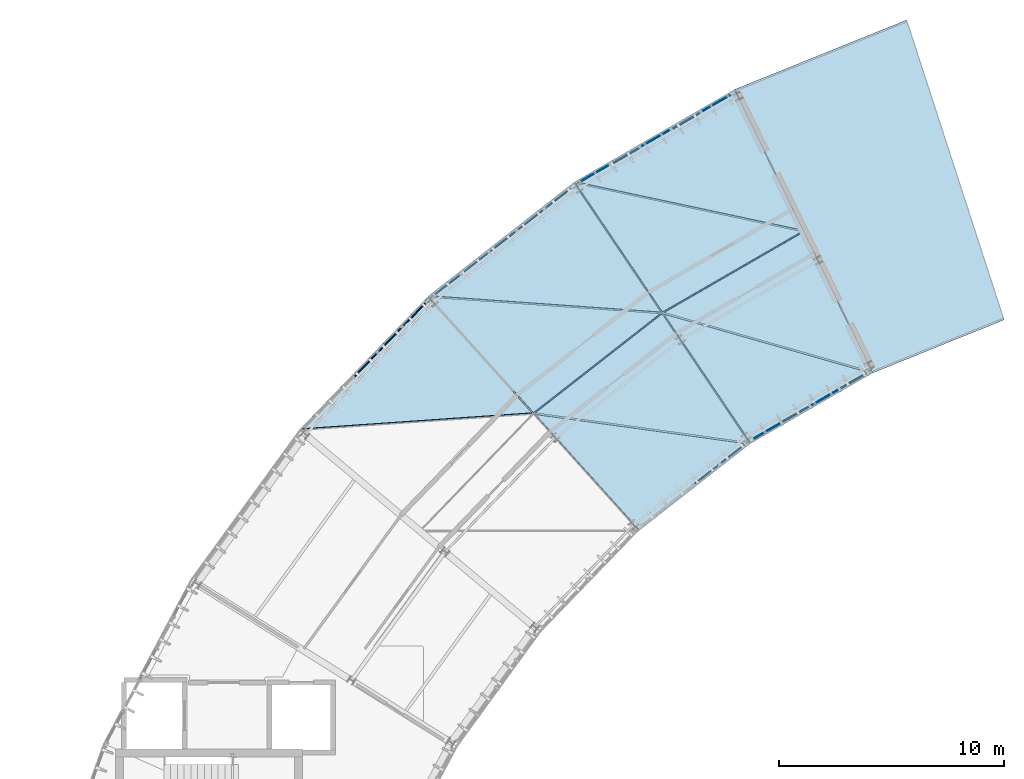
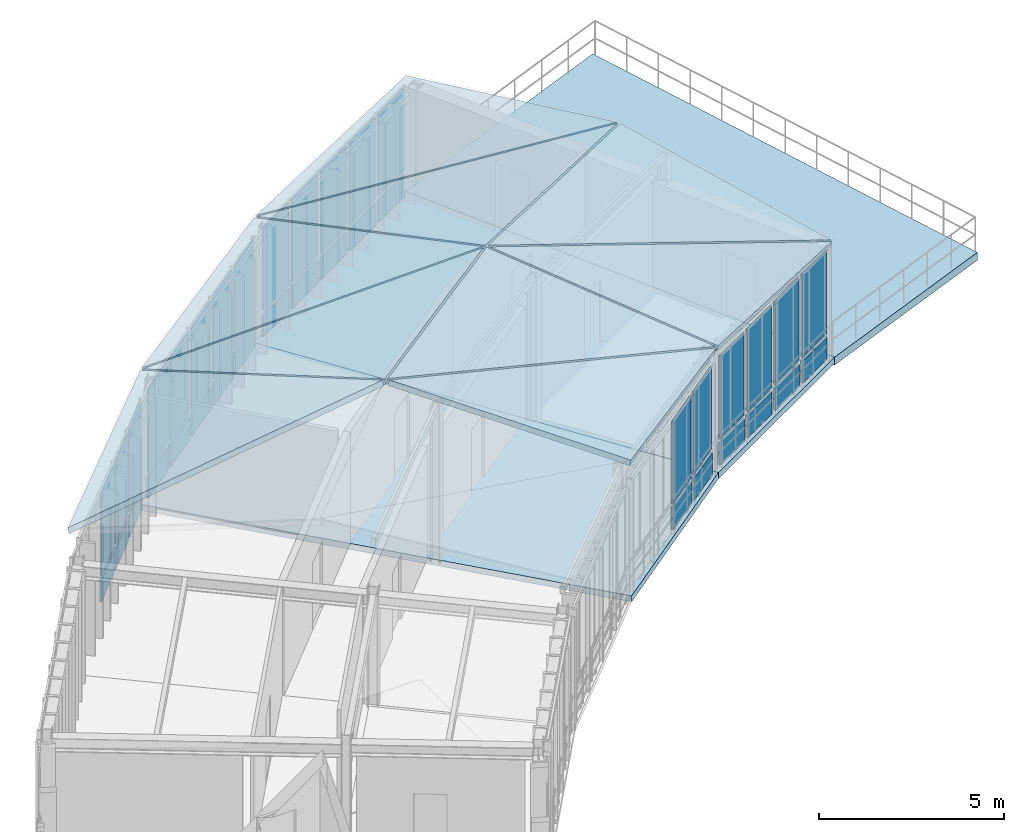
# One storey, part 12 of 25: 38 plates, 12 slabs, 5 elements without a shape of their own.
"""IFC4 building model written with IfcOpenShell, lengths in metres."""

from ifc_helpers import new_model, si_unit, direction, frame, origin, origin_2d, place, context, subcontext, project, spatial, polyline, rectangle, outline, extrude, material, layer, layer_set, type_object, element, aggregate, save


model = new_model("IFC4")

# Units and contexts
model_context = context("Model", 3, precision=1e-05, world=origin(), true_north=direction((0.0, 1.0)))
body_context = subcontext(model_context, "Body", "Model", "MODEL_VIEW")
ifc_project = project(units=[si_unit("LENGTHUNIT", "METRE"), si_unit("AREAUNIT", "SQUARE_METRE"), si_unit("VOLUMEUNIT", "CUBIC_METRE"), si_unit("PLANEANGLEUNIT", "RADIAN"), si_unit("MASSUNIT", "GRAM", prefix="KILO"), si_unit("THERMODYNAMICTEMPERATUREUNIT", "KELVIN"), si_unit("POWERUNIT", "WATT")], contexts=[model_context])

# Site, building, storey
site_placement = place(None, origin())
site = spatial("IfcSite", under=ifc_project, at=site_placement, CompositionType="ELEMENT")
building_placement = place(site_placement, origin())
building = spatial("IfcBuilding", under=site, at=building_placement, Name="Solvatero Civic Police Headquarters", CompositionType="ELEMENT")
storey_placement = place(building_placement, frame((0.0, 0.0, 25.5)))
storey = spatial("IfcBuildingStorey", under=building, at=storey_placement, Name="L06", CompositionType="ELEMENT", Elevation=25.5)

# Curtain wall, plates
ifc_material_1 = material(Name="Anodized Bronze Aluminium", Category="aluminium")
ifc_layer_1 = layer(ifc_material_1, 0.179931640625)
ifc_layer_set_1 = layer_set([ifc_layer_1], Name="Anodized Bronze Aluminium")
curtain_wall_type_1 = type_object("IfcCurtainWallType", Name="CW-ARC-OUT", PredefinedType="USERDEFINED", material=ifc_layer_set_1)
curtain_wall_1_placement = place(storey_placement, origin())
curtain_wall_1 = element("IfcCurtainWall", 1, at=curtain_wall_1_placement, inside=storey, type_object=curtain_wall_type_1, Name="Curtain Wall CW-R2-L06-ARC-OUT-B05", ObjectType="UNITISED", PredefinedType="USERDEFINED")
ifc_material_2 = material(Name="Triple Low-E Laminated Glass", Category="glass")
ifc_layer_2 = layer(ifc_material_2, 0.0380859375)
ifc_layer_set_2 = layer_set([ifc_layer_2], Name="Triple Low-E Laminated Glass")
plate_type_1 = type_object("IfcPlateType", Name="CWP-GLZ-38", PredefinedType="CURTAIN_PANEL", material=ifc_layer_set_2)
plate_1_placement = place(storey_placement, frame((67.33349609375, 78.42724609375, 0.909912109375), z_axis=(0.0, 0.0, 1.0), x_axis=(-0.866025403784, -0.5, 0.0)))
plate_1 = element("IfcPlate", 2, at=plate_1_placement, type_object=plate_type_1, Name="CW-R2-L06-ARC-OUT-B05 Vision Glazing 1", PredefinedType="CURTAIN_PANEL", context=body_context, shape_type="SweptSolid", body=[
    extrude(rectangle(XDim=1.382568359375, YDim=0.0380859375, at=origin_2d()), origin(), (0.0, 0.0, 1.0), 2.72998046875),
])
plate_2_placement = place(storey_placement, frame((64.62744140625, 76.86474609375, 0.909912109375), z_axis=(0.0, 0.0, 1.0), x_axis=(-0.866025403784, -0.5, 0.0)))
plate_2 = element("IfcPlate", 3, at=plate_2_placement, type_object=plate_type_1, Name="CW-R2-L06-ARC-OUT-B05 Vision Glazing 3", PredefinedType="CURTAIN_PANEL", context=body_context, shape_type="SweptSolid", body=[
    extrude(rectangle(XDim=1.382568359375, YDim=0.0380859375, at=origin_2d()), origin(), (0.0, 0.0, 1.0), 2.72998046875),
])
plate_3_placement = place(storey_placement, frame((61.921142578125, 75.30224609375, 0.909912109375), z_axis=(0.0, 0.0, 1.0), x_axis=(-0.866025403784, -0.5, 0.0)))
plate_3 = element("IfcPlate", 4, at=plate_3_placement, type_object=plate_type_1, Name="CW-R2-L06-ARC-OUT-B05 Vision Glazing 5", PredefinedType="CURTAIN_PANEL", context=body_context, shape_type="SweptSolid", body=[
    extrude(rectangle(XDim=1.382568359375, YDim=0.0380859375, at=origin_2d()), origin(), (0.0, 0.0, 1.0), 2.72998046875),
])

ifc_layer_3 = layer(ifc_material_1, 0.179931640625)
ifc_layer_set_3 = layer_set([ifc_layer_3], Name="Anodized Bronze Aluminium")
curtain_wall_type_2 = type_object("IfcCurtainWallType", Name="CW-ARC-IN", PredefinedType="USERDEFINED", material=ifc_layer_set_3)
curtain_wall_2_placement = place(storey_placement, origin())
curtain_wall_2 = element("IfcCurtainWall", 5, at=curtain_wall_2_placement, inside=storey, type_object=curtain_wall_type_2, Name="Curtain Wall CW-R2-L06-ARC-IN-B05", ObjectType="UNITISED", PredefinedType="USERDEFINED")
plate_4_placement = place(storey_placement, frame((72.135498046875, 65.349853515625, 0.909912109375), z_axis=(0.0, 0.0, 1.0), x_axis=(-0.866025403784, -0.5, 0.0)))
plate_4 = element("IfcPlate", 6, at=plate_4_placement, type_object=plate_type_1, Name="CW-R2-L06-ARC-IN-B05 Vision Glazing 2", PredefinedType="CURTAIN_PANEL", context=body_context, shape_type="SweptSolid", body=[
    extrude(rectangle(XDim=1.30908203125, YDim=0.0380859375, at=origin_2d()), origin(), (0.0, 0.0, 1.0), 2.72998046875),
])
plate_5_placement = place(storey_placement, frame((69.55615234375, 63.860595703125, 0.909912109375), z_axis=(0.0, 0.0, 1.0), x_axis=(-0.866025403784, -0.5, 0.0)))
plate_5 = element("IfcPlate", 7, at=plate_5_placement, type_object=plate_type_1, Name="CW-R2-L06-ARC-IN-B05 Vision Glazing 4", PredefinedType="CURTAIN_PANEL", context=body_context, shape_type="SweptSolid", body=[
    extrude(rectangle(XDim=1.30908203125, YDim=0.0380859375, at=origin_2d()), origin(), (0.0, 0.0, 1.0), 2.72998046875),
])

curtain_wall_3_placement = place(storey_placement, origin())
curtain_wall_3 = element("IfcCurtainWall", 8, at=curtain_wall_3_placement, inside=storey, type_object=curtain_wall_type_1, Name="Curtain Wall CW-R2-L06-ARC-OUT-B06", ObjectType="UNITISED", PredefinedType="USERDEFINED")
plate_6_placement = place(storey_placement, frame((60.3046875, 74.2119140625, 0.909912109375), z_axis=(0.0, 0.0, 1.0), x_axis=(-0.788010753607, -0.615661475326, 0.0)))
plate_6 = element("IfcPlate", 9, at=plate_6_placement, type_object=plate_type_1, Name="CW-R2-L06-ARC-OUT-B06 Vision Glazing 1", PredefinedType="CURTAIN_PANEL", context=body_context, shape_type="SweptSolid", body=[
    extrude(rectangle(XDim=1.382568359375, YDim=0.0380859375, at=origin_2d()), origin(), (0.0, 0.0, 1.0), 2.72998046875),
])
plate_7_placement = place(storey_placement, frame((57.842041015625, 72.2880859375, 0.909912109375), z_axis=(0.0, 0.0, 1.0), x_axis=(-0.788010753607, -0.615661475326, 0.0)))
plate_7 = element("IfcPlate", 10, at=plate_7_placement, type_object=plate_type_1, Name="CW-R2-L06-ARC-OUT-B06 Vision Glazing 3", PredefinedType="CURTAIN_PANEL", context=body_context, shape_type="SweptSolid", body=[
    extrude(rectangle(XDim=1.382568359375, YDim=0.0380859375, at=origin_2d()), origin(), (0.0, 0.0, 1.0), 2.72998046875),
])
plate_8_placement = place(storey_placement, frame((55.37939453125, 70.3642578125, 0.909912109375), z_axis=(0.0, 0.0, 1.0), x_axis=(-0.788010753607, -0.615661475326, 0.0)))
plate_8 = element("IfcPlate", 11, at=plate_8_placement, type_object=plate_type_1, Name="CW-R2-L06-ARC-OUT-B06 Vision Glazing 5", PredefinedType="CURTAIN_PANEL", context=body_context, shape_type="SweptSolid", body=[
    extrude(rectangle(XDim=1.382568359375, YDim=0.0380859375, at=origin_2d()), origin(), (0.0, 0.0, 1.0), 2.72998046875),
])

# Curtain wall, plate
curtain_wall_4_placement = place(storey_placement, origin())
curtain_wall_4 = element("IfcCurtainWall", 12, at=curtain_wall_4_placement, inside=storey, type_object=curtain_wall_type_2, Name="Curtain Wall CW-R2-L06-ARC-IN-B06", ObjectType="UNITISED", PredefinedType="USERDEFINED")
plate_9_placement = place(storey_placement, frame((66.879638671875, 61.929931640625, 0.909912109375), z_axis=(0.0, 0.0, 1.0), x_axis=(-0.788010753607, -0.615661475326, 0.0)))
plate_9 = element("IfcPlate", 13, at=plate_9_placement, type_object=plate_type_1, Name="CW-R2-L06-ARC-IN-B06 Vision Glazing 2", PredefinedType="CURTAIN_PANEL", context=body_context, shape_type="SweptSolid", body=[
    extrude(rectangle(XDim=1.309326171875, YDim=0.0380859375, at=origin_2d()), origin(), (0.0, 0.0, 1.0), 2.72998046875),
])

# Curtain wall, plates
curtain_wall_5_placement = place(storey_placement, origin())
curtain_wall_5 = element("IfcCurtainWall", 14, at=curtain_wall_5_placement, inside=storey, type_object=curtain_wall_type_1, Name="Curtain Wall CW-R2-L06-ARC-OUT-B07", ObjectType="UNITISED", PredefinedType="USERDEFINED")
plate_10_placement = place(storey_placement, frame((53.915771484375, 69.046142578125, 0.909912109375), z_axis=(0.0, 0.0, 1.0), x_axis=(-0.694658370459, -0.719339800339, 0.0)))
plate_10 = element("IfcPlate", 15, at=plate_10_placement, type_object=plate_type_1, Name="CW-R2-L06-ARC-OUT-B07 Vision Glazing 1", PredefinedType="CURTAIN_PANEL", context=body_context, shape_type="SweptSolid", body=[
    extrude(rectangle(XDim=1.382568359375, YDim=0.0380859375, at=origin_2d()), origin(), (0.0, 0.0, 1.0), 2.72998046875),
])
plate_11_placement = place(storey_placement, frame((51.7451171875, 66.798095703125, 0.909912109375), z_axis=(0.0, 0.0, 1.0), x_axis=(-0.694658370459, -0.719339800339, 0.0)))
plate_11 = element("IfcPlate", 16, at=plate_11_placement, type_object=plate_type_1, Name="CW-R2-L06-ARC-OUT-B07 Vision Glazing 3", PredefinedType="CURTAIN_PANEL", context=body_context, shape_type="SweptSolid", body=[
    extrude(rectangle(XDim=1.382568359375, YDim=0.0380859375, at=origin_2d()), origin(), (0.0, 0.0, 1.0), 2.72998046875),
])

# Plate
ifc_material_3 = material(Name="Acoustic Ballistic Laminated Glass", Category="glass")
ifc_layer_4 = layer(ifc_material_3, 0.0439453125)
ifc_layer_set_4 = layer_set([ifc_layer_4], Name="Acoustic Ballistic Laminated Glass")
plate_type_2 = type_object("IfcPlateType", Name="CWP-GLZ-44", PredefinedType="CURTAIN_PANEL", material=ifc_layer_set_4)
plate_12_placement = place(storey_placement, frame((65.98046875, 77.64599609375, 0.909912109375), z_axis=(0.0, 0.0, 1.0), x_axis=(-0.866025403784, -0.5, 0.0)))
plate_12 = element("IfcPlate", 17, at=plate_12_placement, type_object=plate_type_2, Name="CW-R2-L06-ARC-OUT-B05 Vision Glazing 2", PredefinedType="CURTAIN_PANEL", context=body_context, shape_type="SweptSolid", body=[
    extrude(rectangle(XDim=1.382568359375, YDim=0.0439453125, at=origin_2d()), origin(), (0.0, 0.0, 1.0), 2.72998046875),
])

plate_13_placement = place(storey_placement, frame((63.274169921875, 76.08349609375, 0.909912109375), z_axis=(0.0, 0.0, 1.0), x_axis=(-0.866025403784, -0.5, 0.0)))
plate_13 = element("IfcPlate", 18, at=plate_13_placement, type_object=plate_type_2, Name="CW-R2-L06-ARC-OUT-B05 Vision Glazing 4", PredefinedType="CURTAIN_PANEL", context=body_context, shape_type="SweptSolid", body=[
    extrude(rectangle(XDim=1.382568359375, YDim=0.0439453125, at=origin_2d()), origin(), (0.0, 0.0, 1.0), 2.72998046875),
])

plate_14_placement = place(storey_placement, frame((73.42529296875, 66.094482421875, 0.909912109375), z_axis=(0.0, 0.0, 1.0), x_axis=(-0.866025403784, -0.5, 0.0)))
plate_14 = element("IfcPlate", 19, at=plate_14_placement, type_object=plate_type_2, Name="CW-R2-L06-ARC-IN-B05 Vision Glazing 1", PredefinedType="CURTAIN_PANEL", context=body_context, shape_type="SweptSolid", body=[
    extrude(rectangle(XDim=1.30908203125, YDim=0.0439453125, at=origin_2d()), origin(), (0.0, 0.0, 1.0), 2.72998046875),
])

plate_15_placement = place(storey_placement, frame((70.845703125, 64.605224609375, 0.909912109375), z_axis=(0.0, 0.0, 1.0), x_axis=(-0.866025403784, -0.5, 0.0)))
plate_15 = element("IfcPlate", 20, at=plate_15_placement, type_object=plate_type_2, Name="CW-R2-L06-ARC-IN-B05 Vision Glazing 3", PredefinedType="CURTAIN_PANEL", context=body_context, shape_type="SweptSolid", body=[
    extrude(rectangle(XDim=1.30908203125, YDim=0.0439453125, at=origin_2d()), origin(), (0.0, 0.0, 1.0), 2.72998046875),
])

plate_16_placement = place(storey_placement, frame((59.0732421875, 73.25, 0.909912109375), z_axis=(0.0, 0.0, 1.0), x_axis=(-0.788010753607, -0.615661475326, 0.0)))
plate_16 = element("IfcPlate", 21, at=plate_16_placement, type_object=plate_type_2, Name="CW-R2-L06-ARC-OUT-B06 Vision Glazing 2", PredefinedType="CURTAIN_PANEL", context=body_context, shape_type="SweptSolid", body=[
    extrude(rectangle(XDim=1.382568359375, YDim=0.0439453125, at=origin_2d()), origin(), (0.0, 0.0, 1.0), 2.72998046875),
])

plate_17_placement = place(storey_placement, frame((56.61083984375, 71.326171875, 0.909912109375), z_axis=(0.0, 0.0, 1.0), x_axis=(-0.788010753607, -0.615661475326, 0.0)))
plate_17 = element("IfcPlate", 22, at=plate_17_placement, type_object=plate_type_2, Name="CW-R2-L06-ARC-OUT-B06 Vision Glazing 4", PredefinedType="CURTAIN_PANEL", context=body_context, shape_type="SweptSolid", body=[
    extrude(rectangle(XDim=1.382568359375, YDim=0.0439453125, at=origin_2d()), origin(), (0.0, 0.0, 1.0), 2.72998046875),
])

plate_18_placement = place(storey_placement, frame((68.05322265625, 62.846923828125, 0.909912109375), z_axis=(0.0, 0.0, 1.0), x_axis=(-0.788010753607, -0.615661475326, 0.0)))
plate_18 = element("IfcPlate", 23, at=plate_18_placement, type_object=plate_type_2, Name="CW-R2-L06-ARC-IN-B06 Vision Glazing 1", PredefinedType="CURTAIN_PANEL", context=body_context, shape_type="SweptSolid", body=[
    extrude(rectangle(XDim=1.309326171875, YDim=0.0439453125, at=origin_2d()), origin(), (0.0, 0.0, 1.0), 2.72998046875),
])

plate_19_placement = place(storey_placement, frame((52.830322265625, 67.922119140625, 0.909912109375), z_axis=(0.0, 0.0, 1.0), x_axis=(-0.694658370459, -0.719339800339, 0.0)))
plate_19 = element("IfcPlate", 24, at=plate_19_placement, type_object=plate_type_2, Name="CW-R2-L06-ARC-OUT-B07 Vision Glazing 2", PredefinedType="CURTAIN_PANEL", context=body_context, shape_type="SweptSolid", body=[
    extrude(rectangle(XDim=1.382568359375, YDim=0.0439453125, at=origin_2d()), origin(), (0.0, 0.0, 1.0), 2.72998046875),
])

ifc_material_4 = material(Name="Insulated Bronze Aluminium Spandrel", Category="aluminium")
ifc_layer_5 = layer(ifc_material_4, 0.06005859375)
ifc_layer_set_5 = layer_set([ifc_layer_5], Name="Insulated Bronze Aluminium Spandrel")
plate_type_3 = type_object("IfcPlateType", Name="CWP-SPN-60", PredefinedType="CURTAIN_PANEL", material=ifc_layer_set_5)
plate_20_placement = place(storey_placement, frame((67.33349609375, 78.42724609375, 0.06005859375), z_axis=(0.0, 0.0, 1.0), x_axis=(-0.866025403784, -0.5, 0.0)))
plate_20 = element("IfcPlate", 25, at=plate_20_placement, type_object=plate_type_3, Name="CW-R2-L06-ARC-OUT-B05 Spandrel Panel 1", PredefinedType="CURTAIN_PANEL", context=body_context, shape_type="SweptSolid", body=[
    extrude(rectangle(XDim=1.382568359375, YDim=0.06005859375, at=origin_2d()), origin(), (0.0, 0.0, 1.0), 0.72998046875),
])

plate_21_placement = place(storey_placement, frame((64.62744140625, 76.86474609375, 0.06005859375), z_axis=(0.0, 0.0, 1.0), x_axis=(-0.866025403784, -0.5, 0.0)))
plate_21 = element("IfcPlate", 26, at=plate_21_placement, type_object=plate_type_3, Name="CW-R2-L06-ARC-OUT-B05 Spandrel Panel 3", PredefinedType="CURTAIN_PANEL", context=body_context, shape_type="SweptSolid", body=[
    extrude(rectangle(XDim=1.382568359375, YDim=0.06005859375, at=origin_2d()), origin(), (0.0, 0.0, 1.0), 0.72998046875),
])

plate_22_placement = place(storey_placement, frame((61.921142578125, 75.30224609375, 0.06005859375), z_axis=(0.0, 0.0, 1.0), x_axis=(-0.866025403784, -0.5, 0.0)))
plate_22 = element("IfcPlate", 27, at=plate_22_placement, type_object=plate_type_3, Name="CW-R2-L06-ARC-OUT-B05 Spandrel Panel 5", PredefinedType="CURTAIN_PANEL", context=body_context, shape_type="SweptSolid", body=[
    extrude(rectangle(XDim=1.382568359375, YDim=0.06005859375, at=origin_2d()), origin(), (0.0, 0.0, 1.0), 0.72998046875),
])

plate_23_placement = place(storey_placement, frame((72.135498046875, 65.349853515625, 0.06005859375), z_axis=(0.0, 0.0, 1.0), x_axis=(-0.866025403784, -0.5, 0.0)))
plate_23 = element("IfcPlate", 28, at=plate_23_placement, type_object=plate_type_3, Name="CW-R2-L06-ARC-IN-B05 Spandrel Panel 2", PredefinedType="CURTAIN_PANEL", context=body_context, shape_type="SweptSolid", body=[
    extrude(rectangle(XDim=1.30908203125, YDim=0.06005859375, at=origin_2d()), origin(), (0.0, 0.0, 1.0), 0.72998046875),
])

plate_24_placement = place(storey_placement, frame((69.55615234375, 63.860595703125, 0.06005859375), z_axis=(0.0, 0.0, 1.0), x_axis=(-0.866025403784, -0.5, 0.0)))
plate_24 = element("IfcPlate", 29, at=plate_24_placement, type_object=plate_type_3, Name="CW-R2-L06-ARC-IN-B05 Spandrel Panel 4", PredefinedType="CURTAIN_PANEL", context=body_context, shape_type="SweptSolid", body=[
    extrude(rectangle(XDim=1.30908203125, YDim=0.06005859375, at=origin_2d()), origin(), (0.0, 0.0, 1.0), 0.72998046875),
])

plate_25_placement = place(storey_placement, frame((60.3046875, 74.2119140625, 0.06005859375), z_axis=(0.0, 0.0, 1.0), x_axis=(-0.788010753607, -0.615661475326, 0.0)))
plate_25 = element("IfcPlate", 30, at=plate_25_placement, type_object=plate_type_3, Name="CW-R2-L06-ARC-OUT-B06 Spandrel Panel 1", PredefinedType="CURTAIN_PANEL", context=body_context, shape_type="SweptSolid", body=[
    extrude(rectangle(XDim=1.382568359375, YDim=0.06005859375, at=origin_2d()), origin(), (0.0, 0.0, 1.0), 0.72998046875),
])

plate_26_placement = place(storey_placement, frame((57.842041015625, 72.2880859375, 0.06005859375), z_axis=(0.0, 0.0, 1.0), x_axis=(-0.788010753607, -0.615661475326, 0.0)))
plate_26 = element("IfcPlate", 31, at=plate_26_placement, type_object=plate_type_3, Name="CW-R2-L06-ARC-OUT-B06 Spandrel Panel 3", PredefinedType="CURTAIN_PANEL", context=body_context, shape_type="SweptSolid", body=[
    extrude(rectangle(XDim=1.382568359375, YDim=0.06005859375, at=origin_2d()), origin(), (0.0, 0.0, 1.0), 0.72998046875),
])

plate_27_placement = place(storey_placement, frame((55.37939453125, 70.3642578125, 0.06005859375), z_axis=(0.0, 0.0, 1.0), x_axis=(-0.788010753607, -0.615661475326, 0.0)))
plate_27 = element("IfcPlate", 32, at=plate_27_placement, type_object=plate_type_3, Name="CW-R2-L06-ARC-OUT-B06 Spandrel Panel 5", PredefinedType="CURTAIN_PANEL", context=body_context, shape_type="SweptSolid", body=[
    extrude(rectangle(XDim=1.382568359375, YDim=0.06005859375, at=origin_2d()), origin(), (0.0, 0.0, 1.0), 0.72998046875),
])

plate_28_placement = place(storey_placement, frame((66.879638671875, 61.929931640625, 0.06005859375), z_axis=(0.0, 0.0, 1.0), x_axis=(-0.788010753607, -0.615661475326, 0.0)))
plate_28 = element("IfcPlate", 33, at=plate_28_placement, type_object=plate_type_3, Name="CW-R2-L06-ARC-IN-B06 Spandrel Panel 2", PredefinedType="CURTAIN_PANEL", context=body_context, shape_type="SweptSolid", body=[
    extrude(rectangle(XDim=1.309326171875, YDim=0.06005859375, at=origin_2d()), origin(), (0.0, 0.0, 1.0), 0.72998046875),
])

plate_29_placement = place(storey_placement, frame((53.915771484375, 69.046142578125, 0.06005859375), z_axis=(0.0, 0.0, 1.0), x_axis=(-0.694658370459, -0.719339800339, 0.0)))
plate_29 = element("IfcPlate", 34, at=plate_29_placement, type_object=plate_type_3, Name="CW-R2-L06-ARC-OUT-B07 Spandrel Panel 1", PredefinedType="CURTAIN_PANEL", context=body_context, shape_type="SweptSolid", body=[
    extrude(rectangle(XDim=1.382568359375, YDim=0.06005859375, at=origin_2d()), origin(), (0.0, 0.0, 1.0), 0.72998046875),
])

plate_30_placement = place(storey_placement, frame((51.7451171875, 66.798095703125, 0.06005859375), z_axis=(0.0, 0.0, 1.0), x_axis=(-0.694658370459, -0.719339800339, 0.0)))
plate_30 = element("IfcPlate", 35, at=plate_30_placement, type_object=plate_type_3, Name="CW-R2-L06-ARC-OUT-B07 Spandrel Panel 3", PredefinedType="CURTAIN_PANEL", context=body_context, shape_type="SweptSolid", body=[
    extrude(rectangle(XDim=1.382568359375, YDim=0.06005859375, at=origin_2d()), origin(), (0.0, 0.0, 1.0), 0.72998046875),
])

ifc_material_5 = material(Name="Limestone Veneer Spandrel Panel", Category="masonry")
ifc_layer_6 = layer(ifc_material_5, 0.074951171875)
ifc_layer_set_6 = layer_set([ifc_layer_6], Name="Limestone Veneer Spandrel Panel")
plate_type_4 = type_object("IfcPlateType", Name="CWP-SPN-75", PredefinedType="CURTAIN_PANEL", material=ifc_layer_set_6)
plate_31_placement = place(storey_placement, frame((65.98046875, 77.64599609375, 0.06005859375), z_axis=(0.0, 0.0, 1.0), x_axis=(-0.866025403784, -0.5, 0.0)))
plate_31 = element("IfcPlate", 36, at=plate_31_placement, type_object=plate_type_4, Name="CW-R2-L06-ARC-OUT-B05 Spandrel Panel 2", PredefinedType="CURTAIN_PANEL", context=body_context, shape_type="SweptSolid", body=[
    extrude(rectangle(XDim=1.382568359375, YDim=0.074951171875, at=origin_2d()), origin(), (0.0, 0.0, 1.0), 0.72998046875),
])

plate_32_placement = place(storey_placement, frame((63.274169921875, 76.08349609375, 0.06005859375), z_axis=(0.0, 0.0, 1.0), x_axis=(-0.866025403784, -0.5, 0.0)))
plate_32 = element("IfcPlate", 37, at=plate_32_placement, type_object=plate_type_4, Name="CW-R2-L06-ARC-OUT-B05 Spandrel Panel 4", PredefinedType="CURTAIN_PANEL", context=body_context, shape_type="SweptSolid", body=[
    extrude(rectangle(XDim=1.382568359375, YDim=0.074951171875, at=origin_2d()), origin(), (0.0, 0.0, 1.0), 0.72998046875),
])

aggregate(curtain_wall_1, [plate_20, plate_1, plate_31, plate_12, plate_21, plate_2, plate_32, plate_13, plate_22, plate_3])

plate_33_placement = place(storey_placement, frame((73.42529296875, 66.094482421875, 0.06005859375), z_axis=(0.0, 0.0, 1.0), x_axis=(-0.866025403784, -0.5, 0.0)))
plate_33 = element("IfcPlate", 38, at=plate_33_placement, type_object=plate_type_4, Name="CW-R2-L06-ARC-IN-B05 Spandrel Panel 1", PredefinedType="CURTAIN_PANEL", context=body_context, shape_type="SweptSolid", body=[
    extrude(rectangle(XDim=1.30908203125, YDim=0.074951171875, at=origin_2d()), origin(), (0.0, 0.0, 1.0), 0.72998046875),
])

plate_34_placement = place(storey_placement, frame((70.845703125, 64.605224609375, 0.06005859375), z_axis=(0.0, 0.0, 1.0), x_axis=(-0.866025403784, -0.5, 0.0)))
plate_34 = element("IfcPlate", 39, at=plate_34_placement, type_object=plate_type_4, Name="CW-R2-L06-ARC-IN-B05 Spandrel Panel 3", PredefinedType="CURTAIN_PANEL", context=body_context, shape_type="SweptSolid", body=[
    extrude(rectangle(XDim=1.30908203125, YDim=0.074951171875, at=origin_2d()), origin(), (0.0, 0.0, 1.0), 0.72998046875),
])

aggregate(curtain_wall_2, [plate_33, plate_14, plate_23, plate_4, plate_34, plate_15, plate_24, plate_5])

plate_35_placement = place(storey_placement, frame((59.0732421875, 73.25, 0.06005859375), z_axis=(0.0, 0.0, 1.0), x_axis=(-0.788010753607, -0.615661475326, 0.0)))
plate_35 = element("IfcPlate", 40, at=plate_35_placement, type_object=plate_type_4, Name="CW-R2-L06-ARC-OUT-B06 Spandrel Panel 2", PredefinedType="CURTAIN_PANEL", context=body_context, shape_type="SweptSolid", body=[
    extrude(rectangle(XDim=1.382568359375, YDim=0.074951171875, at=origin_2d()), origin(), (0.0, 0.0, 1.0), 0.72998046875),
])

plate_36_placement = place(storey_placement, frame((56.61083984375, 71.326171875, 0.06005859375), z_axis=(0.0, 0.0, 1.0), x_axis=(-0.788010753607, -0.615661475326, 0.0)))
plate_36 = element("IfcPlate", 41, at=plate_36_placement, type_object=plate_type_4, Name="CW-R2-L06-ARC-OUT-B06 Spandrel Panel 4", PredefinedType="CURTAIN_PANEL", context=body_context, shape_type="SweptSolid", body=[
    extrude(rectangle(XDim=1.382568359375, YDim=0.074951171875, at=origin_2d()), origin(), (0.0, 0.0, 1.0), 0.72998046875),
])

aggregate(curtain_wall_3, [plate_25, plate_6, plate_35, plate_16, plate_26, plate_7, plate_36, plate_17, plate_27, plate_8])

plate_37_placement = place(storey_placement, frame((68.05322265625, 62.846923828125, 0.06005859375), z_axis=(0.0, 0.0, 1.0), x_axis=(-0.788010753607, -0.615661475326, 0.0)))
plate_37 = element("IfcPlate", 42, at=plate_37_placement, type_object=plate_type_4, Name="CW-R2-L06-ARC-IN-B06 Spandrel Panel 1", PredefinedType="CURTAIN_PANEL", context=body_context, shape_type="SweptSolid", body=[
    extrude(rectangle(XDim=1.309326171875, YDim=0.074951171875, at=origin_2d()), origin(), (0.0, 0.0, 1.0), 0.72998046875),
])

aggregate(curtain_wall_4, [plate_37, plate_18, plate_28, plate_9])

plate_38_placement = place(storey_placement, frame((52.830322265625, 67.922119140625, 0.06005859375), z_axis=(0.0, 0.0, 1.0), x_axis=(-0.694658370459, -0.719339800339, 0.0)))
plate_38 = element("IfcPlate", 43, at=plate_38_placement, type_object=plate_type_4, Name="CW-R2-L06-ARC-OUT-B07 Spandrel Panel 2", PredefinedType="CURTAIN_PANEL", context=body_context, shape_type="SweptSolid", body=[
    extrude(rectangle(XDim=1.382568359375, YDim=0.074951171875, at=origin_2d()), origin(), (0.0, 0.0, 1.0), 0.72998046875),
])

aggregate(curtain_wall_5, [plate_29, plate_10, plate_38, plate_19, plate_30, plate_11])

# Slabs
ifc_material_6 = material(Name="Concrete C35/45", Category="concrete")
ifc_layer_7 = layer(ifc_material_6, 0.199951171875)
ifc_layer_set_7 = layer_set([ifc_layer_7], Name="Concrete C35/45")
slab_type_1 = type_object("IfcSlabType", Name="SLB-COMP-200", PredefinedType="FLOOR", material=ifc_layer_set_7)
slab_1_placement = place(storey_placement, frame((0.0, 0.0, -0.199951171875)))
element("IfcSlab", 44, at=slab_1_placement, inside=storey, type_object=slab_type_1, Name="L06 Operations Arc Floor Slab Bay 5", PredefinedType="FLOOR", context=body_context, shape_type="SweptSolid", body=[
    extrude(outline(polyline([(68.135986328125, 79.02880859375), (74.273193359375, 66.44580078125), (68.836181640625, 63.306640625), (61.007568359375, 74.9130859375), (68.135986328125, 79.02880859375)])), origin(), (0.0, 0.0, 1.0), 0.199951171875),
])
slab_2_placement = place(storey_placement, frame((0.0, 0.0, -0.199951171875)))
element("IfcSlab", 45, at=slab_2_placement, inside=storey, type_object=slab_type_1, Name="L06 Operations Arc Floor Slab Bay 6", PredefinedType="FLOOR", context=body_context, shape_type="SweptSolid", body=[
    extrude(outline(polyline([(61.006103515625, 74.912109375), (68.834716796875, 63.305419921875), (63.88916015625, 59.44140625), (54.521240234375, 69.845458984375), (61.006103515625, 74.912109375)])), origin(), (0.0, 0.0, 1.0), 0.199951171875),
])
ifc_layer_8 = layer(ifc_material_6, 0.18994140625)
ifc_layer_set_8 = layer_set([ifc_layer_8], Name="Concrete C35/45")
slab_type_2 = type_object("IfcSlabType", Name="SLB-RF-ARC-190", PredefinedType="ROOF", material=ifc_layer_set_8)
slab_3_placement = place(storey_placement, frame((74.20751953125, 66.500732421875, 3.864990234375), z_axis=(0.119910350445, -0.126215952118, 0.984728917666), x_axis=(-0.950775421893, 0.270882156593, 0.150495695497)))
element("IfcSlab", 46, at=slab_3_placement, inside=storey, type_object=slab_type_2, Name="Operations Arc Rising Roof Slab B5 IN1", PredefinedType="ROOF", context=body_context, shape_type="SweptSolid", body=[
    extrude(outline(polyline([(0.0, 0.0), (9.673436453253423, 0.0), (4.720390977257902, -5.144407502440376), (0.0, 0.0)])), origin(), (0.0, 0.0, -1.0), 0.18994140625),
])
slab_4_placement = place(storey_placement, frame((74.18505859375, 66.4345703125, 3.859619140625), z_axis=(0.122400741229, -0.117768088094, 0.985468789954), x_axis=(-0.865030591184, -0.499441117528, 0.047756114145)))
element("IfcSlab", 47, at=slab_4_placement, inside=storey, type_object=slab_type_2, Name="Operations Arc Rising Roof Slab B5 IN2", PredefinedType="ROOF", context=body_context, shape_type="SweptSolid", body=[
    extrude(outline(polyline([(0.0, 0.0), (6.170471355318578, -2.3592239273284576e-16), (6.704539759024803, -6.9488565285298876), (0.0, 0.0)])), origin(), (0.0, 0.0, -1.0), 0.18994140625),
])
slab_5_placement = place(storey_placement, frame((71.14208984375, 72.7861328125, 5.018798828125), z_axis=(-0.050908191535, 0.160042218668, 0.985796553189), x_axis=(-0.97452211764, 0.207934074078, -0.084083667065)))
element("IfcSlab", 48, at=slab_5_placement, inside=storey, type_object=slab_type_2, Name="Operations Arc Rising Roof Slab B5 OUT1", PredefinedType="ROOF", context=body_context, shape_type="SweptSolid", body=[
    extrude(outline(polyline([(0.0, 0.0), (10.301774027391533, 6.106226635438361e-16), (4.329901534945323, -5.485980496232515), (0.0, 0.0)])), origin(), (0.0, 0.0, -1.0), 0.18994140625),
])
slab_6_placement = place(storey_placement, frame((71.109619140625, 72.72216796875, 5.02783203125), z_axis=(-0.049366030162, 0.166949447411, 0.984728834287), x_axis=(-0.865291597559, -0.499563187239, 0.041316741763)))
element("IfcSlab", 49, at=slab_6_placement, inside=storey, type_object=slab_type_2, Name="Operations Arc Rising Roof Slab B5 OUT2", PredefinedType="ROOF", context=body_context, shape_type="SweptSolid", body=[
    extrude(outline(polyline([(0.0, 0.0), (7.138071939331128, -5.342948306008566e-16), (7.570069433490695, -6.965439862034792), (0.0, 0.0)])), origin(), (0.0, 0.0, -1.0), 0.18994140625),
])
slab_7_placement = place(storey_placement, frame((68.763671875, 63.35205078125, 4.1650390625), z_axis=(0.13627994149, -0.108319919638, 0.98473071068), x_axis=(-0.979228755281, 0.135905846577, 0.150468088634)))
element("IfcSlab", 50, at=slab_7_placement, inside=storey, type_object=slab_type_2, Name="Operations Arc Rising Roof Slab B6 IN1", PredefinedType="ROOF", context=body_context, shape_type="SweptSolid", body=[
    extrude(outline(polyline([(0.0, 0.0), (9.673588728797055, -1.1102230246251565e-16), (4.720245684207506, -5.144542218155771), (0.0, 0.0)])), origin(), (0.0, 0.0, -1.0), 0.18994140625),
])
slab_8_placement = place(storey_placement, frame((68.75048828125, 63.283447265625, 4.15966796875), z_axis=(0.137594166617, -0.099648040268, 0.985463400327), x_axis=(-0.787111184369, -0.614962759558, 0.047715697615)))
element("IfcSlab", 51, at=slab_8_placement, inside=storey, type_object=slab_type_2, Name="Operations Arc Rising Roof Slab B6 IN2", PredefinedType="ROOF", context=body_context, shape_type="SweptSolid", body=[
    extrude(outline(polyline([(0.0, 0.0), (6.170581348867157, -4.163336342344337e-17), (6.70472664631263, -6.9485709305620205), (0.0, 0.0)])), origin(), (0.0, 0.0, -1.0), 0.18994140625),
])
slab_9_placement = place(storey_placement, frame((64.85302734375, 69.149658203125, 5.31884765625), z_axis=(-0.072707308078, 0.151433230533, 0.985789847809), x_axis=(-0.993974184718, 0.070292254164, -0.084108971688)))
element("IfcSlab", 52, at=slab_9_placement, inside=storey, type_object=slab_type_2, Name="Operations Arc Rising Roof Slab B6 OUT1", PredefinedType="ROOF", context=body_context, shape_type="SweptSolid", body=[
    extrude(outline(polyline([(0.0, 0.0), (10.301577355379758, 1.6653345369377348e-16), (4.329850132256186, -5.485772674509348), (0.0, 0.0)])), origin(), (0.0, 0.0, -1.0), 0.18994140625),
])
slab_10_placement = place(storey_placement, frame((64.829833984375, 69.081787109375, 5.327880859375), z_axis=(-0.072121902056, 0.158454184606, 0.984728745709), x_axis=(-0.787341112737, -0.615131620876, 0.041316597054)))
element("IfcSlab", 53, at=slab_10_placement, inside=storey, type_object=slab_type_2, Name="Operations Arc Rising Roof Slab B6 OUT2", PredefinedType="ROOF", context=body_context, shape_type="SweptSolid", body=[
    extrude(outline(polyline([(0.0, 0.0), (7.138096939918885, 2.2898349882893854e-16), (7.5698699368996065, -6.965361949760462), (0.0, 0.0)])), origin(), (0.0, 0.0, -1.0), 0.18994140625),
])
slab_11_placement = place(storey_placement, frame((59.131591796875, 64.673095703125, 5.618896484375), z_axis=(-0.093072111096, 0.139835975783, 0.985790790185), x_axis=(-0.9940839498, -0.068725855351, -0.084106227807)))
element("IfcSlab", 54, at=slab_11_placement, inside=storey, type_object=slab_type_2, Name="Operations Arc Rising Roof Slab B7 OUT1", PredefinedType="ROOF", context=body_context, shape_type="SweptSolid", body=[
    extrude(outline(polyline([(0.0, 0.0), (10.301913433904685, -2.7755575615628914e-17), (4.330041747609029, -5.485924702166922), (0.0, 0.0)])), origin(), (0.0, 0.0, -1.0), 0.18994140625),
])
ifc_layer_9 = layer(ifc_material_6, 0.260009765625)
ifc_layer_set_9 = layer_set([ifc_layer_9], Name="Concrete C35/45")
slab_type_3 = type_object("IfcSlabType", Name="SLB-TERR-260", PredefinedType="FLOOR", material=ifc_layer_set_9)
slab_12_placement = place(storey_placement, frame((0.0, 0.0, -0.260009765625)))
element("IfcSlab", 55, at=slab_12_placement, inside=storey, type_object=slab_type_3, Name="L06 East Step-Back Roof Terrace Bay 4", PredefinedType="FLOOR", context=body_context, shape_type="SweptSolid", body=[
    extrude(outline(polyline([(75.76806640625, 82.1123046875), (80.09423828125, 68.797607421875), (74.275146484375, 66.446533203125), (68.137939453125, 79.029541015625), (75.76806640625, 82.1123046875)])), origin(), (0.0, 0.0, 1.0), 0.260009765625),
])

save(model, "model.ifc")
